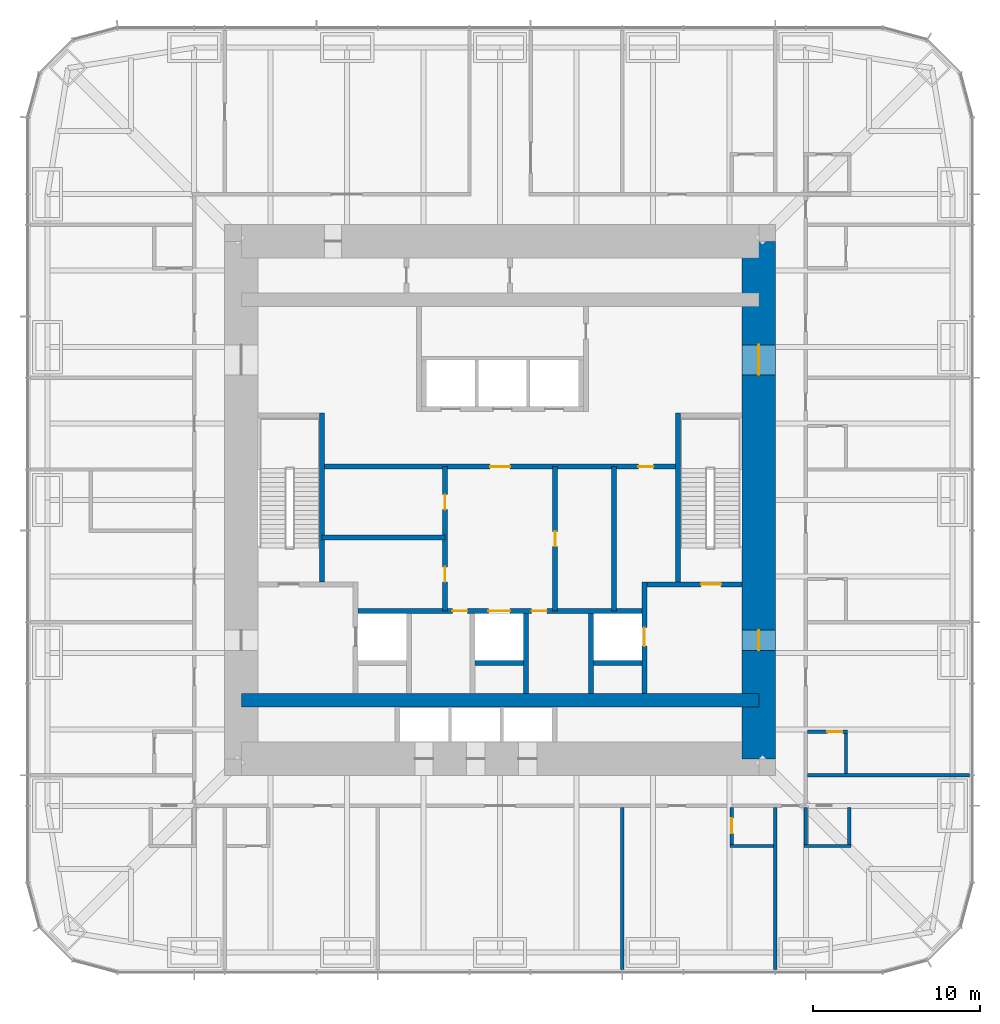
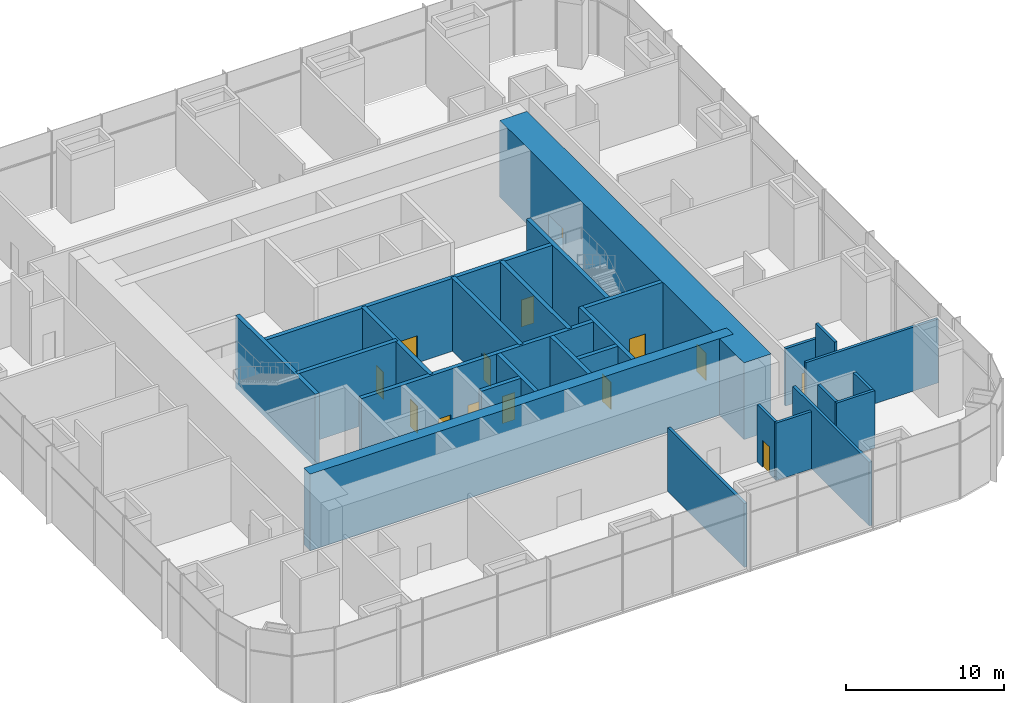
# One storey, part 9 of 12: 26 walls, 14 doors, 14 openings.
"""IFC4 building model written with IfcOpenShell, lengths in metres."""

from ifc_helpers import new_model, si_unit, direction, frame, frame_2d, origin, place, context, subcontext, project, spatial, rectangle, extrude, material, layer, layer_set, type_object, element, fill, save


model = new_model("IFC4")

# Units and contexts
model_context = context("Model", 3, precision=1e-05, world=origin(), true_north=direction((0.0, 1.0)))
body_context = subcontext(model_context, "Body", "Model", "MODEL_VIEW")
ifc_project = project(units=[si_unit("LENGTHUNIT", "METRE"), si_unit("AREAUNIT", "SQUARE_METRE"), si_unit("VOLUMEUNIT", "CUBIC_METRE"), si_unit("PLANEANGLEUNIT", "RADIAN"), si_unit("MASSUNIT", "GRAM", prefix="KILO")], contexts=[model_context])

# Site, building, storey
site_placement = place(None, origin())
site = spatial("IfcSite", under=ifc_project, at=site_placement, CompositionType="ELEMENT")
building_placement = place(site_placement, origin())
building = spatial("IfcBuilding", under=site, at=building_placement, Name="Khuree Lantern Residences", CompositionType="ELEMENT")
storey_placement = place(building_placement, frame((0.0, 0.0, 186.0)))
storey = spatial("IfcBuildingStorey", under=building, at=storey_placement, Name="L47", CompositionType="ELEMENT", Elevation=186.0)

# Wall, opening, door
ifc_material_1 = material(Name="Dense concrete blockwork", Category="masonry")
ifc_layer_1 = layer(ifc_material_1, 0.300048828125)
ifc_layer_set_1 = layer_set([ifc_layer_1], Name="CORE PARTITION WALL CPW300 EI 120")
wall_type_1 = type_object("IfcWallType", Name="CORE PARTITION WALL CPW300 EI 120", PredefinedType="PARTITIONING", material=ifc_layer_set_1)
wall_1_placement = place(storey_placement, frame((8.64990234375, -11.60009765625, 0.0), z_axis=(0.0, 0.0, 1.0), x_axis=(0.0, 1.0, 0.0)))
wall_1 = element("IfcWall", 1, at=wall_1_placement, inside=storey, type_object=wall_type_1, Name="L47 CORE WALL FL2E", PredefinedType="PARTITIONING", context=body_context, shape_type="SweptSolid", body=[
    extrude(rectangle(XDim=6.7001953125, YDim=0.300048828125, at=frame_2d((3.35009765625, 0.0))), origin(), (0.0, 0.0, 1.0), 5.64990234375),
])
opening_1_placement = place(wall_1_placement, frame((2.85009765625, 0.0, 0.0)))
opening_1 = element("IfcOpeningElement", 2, at=opening_1_placement, cuts=wall_1, Name="Opening 47-008", PredefinedType="OPENING", context=body_context, shape_type="SweptSolid", body=[
    extrude(rectangle(XDim=1.10009765625, YDim=2.10009765625, at=frame_2d((0.550048828125, 1.050048828125))), frame((0.0, 0.16015625, 0.0), z_axis=(0.0, -1.0, 0.0), x_axis=(1.0, 0.0, 0.0)), (0.0, 0.0, 1.0), 0.320068359375),
])
ifc_material_2 = material(Name="Stainless steel lift landing door", Category="steel")
door_type_1 = type_object("IfcDoorType", Name="LIFT LANDING DOOR 1100X2100 E 120", OperationType="DOUBLE_DOOR_SLIDING", PredefinedType="DOOR", material=ifc_material_2)
door_1_placement = place(opening_1_placement, origin())
door_1 = element("IfcDoor", 3, at=door_1_placement, inside=storey, type_object=door_type_1, Name="Landing door FL2 47-008", OperationType="DOUBLE_DOOR_SLIDING", OverallHeight=2.10009765625, OverallWidth=1.10009765625, PredefinedType="DOOR", context=body_context, shape_type="SweptSolid", body=[
    extrude(rectangle(XDim=1.10009765625, YDim=2.10009765625, at=frame_2d((0.550048828125, 1.050048828125))), frame((0.0, 0.02490234375, 0.0), z_axis=(0.0, -1.0, 0.0), x_axis=(1.0, 0.0, 0.0)), (0.0, 0.0, 1.0), 0.050048828125),
])
fill(opening_1, door_1)

# Wall, openings, doors
wall_2_placement = place(storey_placement, frame((-8.5, -6.64990234375, 0.0), z_axis=(0.0, 0.0, 1.0), x_axis=(1.0, 0.0, 0.0)))
wall_2 = element("IfcWall", 4, at=wall_2_placement, inside=storey, type_object=wall_type_1, Name="L47 CORE WALL FLROW", PredefinedType="PARTITIONING", context=body_context, shape_type="SweptSolid", body=[
    extrude(rectangle(XDim=17.0, YDim=0.300048828125, at=frame_2d((8.5, 0.0))), origin(), (0.0, 0.0, 1.0), 5.64990234375),
])
opening_2_placement = place(wall_2_placement, frame((7.800048828125, 0.0, 0.0)))
opening_2 = element("IfcOpeningElement", 5, at=opening_2_placement, cuts=wall_2, Name="Opening 47-015", PredefinedType="OPENING", context=body_context, shape_type="SweptSolid", body=[
    extrude(rectangle(XDim=1.300048828125, YDim=2.39990234375, at=frame_2d((0.64990234375, 1.199951171875))), frame((0.0, 0.16015625, 0.0), z_axis=(0.0, -1.0, 0.0), x_axis=(1.0, 0.0, 0.0)), (0.0, 0.0, 1.0), 0.320068359375),
])
opening_3_placement = place(wall_2_placement, frame((5.64990234375, 0.0, 0.0)))
opening_3 = element("IfcOpeningElement", 6, at=opening_3_placement, cuts=wall_2, Name="Opening 47-017", PredefinedType="OPENING", context=body_context, shape_type="SweptSolid", body=[
    extrude(rectangle(XDim=0.89990234375, YDim=2.10009765625, at=frame_2d((0.449951171875, 1.050048828125))), frame((0.0, 0.16015625, 0.0), z_axis=(0.0, -1.0, 0.0), x_axis=(1.0, 0.0, 0.0)), (0.0, 0.0, 1.0), 0.320068359375),
])
opening_4_placement = place(wall_2_placement, frame((10.39990234375, 0.0, 0.0)))
opening_4 = element("IfcOpeningElement", 7, at=opening_4_placement, cuts=wall_2, Name="Opening 47-018", PredefinedType="OPENING", context=body_context, shape_type="SweptSolid", body=[
    extrude(rectangle(XDim=0.89990234375, YDim=2.10009765625, at=frame_2d((0.449951171875, 1.050048828125))), frame((0.0, 0.16015625, 0.0), z_axis=(0.0, -1.0, 0.0), x_axis=(1.0, 0.0, 0.0)), (0.0, 0.0, 1.0), 0.320068359375),
])
ifc_material_3 = material(Name="Steel door leaf in steel frame", Category="steel")
door_type_2 = type_object("IfcDoorType", Name="DOOR 900X2100 EI 60", OperationType="SINGLE_SWING_LEFT", PredefinedType="DOOR", material=ifc_material_3)
door_2_placement = place(opening_3_placement, origin())
door_2 = element("IfcDoor", 8, at=door_2_placement, inside=storey, type_object=door_type_2, Name="Electrical riser door 47-017", OperationType="SINGLE_SWING_LEFT", OverallHeight=2.10009765625, OverallWidth=0.89990234375, PredefinedType="DOOR", context=body_context, shape_type="SweptSolid", body=[
    extrude(rectangle(XDim=0.89990234375, YDim=2.10009765625, at=frame_2d((0.449951171875, 1.050048828125))), frame((0.0, 0.02490234375, 0.0), z_axis=(0.0, -1.0, 0.0), x_axis=(1.0, 0.0, 0.0)), (0.0, 0.0, 1.0), 0.050048828125),
])
fill(opening_3, door_2)
door_type_3 = type_object("IfcDoorType", Name="DOOR 900X2100 EI 60 RIGHT HAND", OperationType="SINGLE_SWING_RIGHT", PredefinedType="DOOR", material=ifc_material_3)
door_3_placement = place(opening_4_placement, origin())
door_3 = element("IfcDoor", 9, at=door_3_placement, inside=storey, type_object=door_type_3, Name="Plumbing riser door 47-018", OperationType="SINGLE_SWING_RIGHT", OverallHeight=2.10009765625, OverallWidth=0.89990234375, PredefinedType="DOOR", context=body_context, shape_type="SweptSolid", body=[
    extrude(rectangle(XDim=0.89990234375, YDim=2.10009765625, at=frame_2d((0.449951171875, 1.050048828125))), frame((0.0, 0.02490234375, 0.0), z_axis=(0.0, -1.0, 0.0), x_axis=(1.0, 0.0, 0.0)), (0.0, 0.0, 1.0), 0.050048828125),
])
fill(opening_4, door_3)
door_type_4 = type_object("IfcDoorType", Name="LIFT LANDING DOOR 1300X2400 E 60", OperationType="DOUBLE_DOOR_SLIDING", PredefinedType="DOOR", material=ifc_material_2)
door_4_placement = place(opening_2_placement, origin())
door_4 = element("IfcDoor", 10, at=door_4_placement, inside=storey, type_object=door_type_4, Name="Landing door SL1 47-015", OperationType="DOUBLE_DOOR_SLIDING", OverallHeight=2.39990234375, OverallWidth=1.300048828125, PredefinedType="DOOR", context=body_context, shape_type="SweptSolid", body=[
    extrude(rectangle(XDim=1.300048828125, YDim=2.39990234375, at=frame_2d((0.64990234375, 1.199951171875))), frame((0.0, 0.02490234375, 0.0), z_axis=(0.0, -1.0, 0.0), x_axis=(1.0, 0.0, 0.0)), (0.0, 0.0, 1.0), 0.050048828125),
])
fill(opening_2, door_4)

# Walls
for number, where, z_axis, x_axis, name in (
    (11, (1.550048828125, -11.60009765625, 0.0), (0.0, 0.0, 1.0), (0.0, 1.0, 0.0), "L47 CORE WALL SL1E"),
    (12, (5.449951171875, -11.60009765625, 0.0), (0.0, 0.0, 1.0), (0.0, 1.0, 0.0), "L47 CORE WALL FL2W"),
):
    element("IfcWall", number, at=place(storey_placement, frame(where, z_axis=z_axis, x_axis=x_axis)), inside=storey, type_object=wall_type_1, Name=name, PredefinedType="PARTITIONING", context=body_context, shape_type="SweptSolid", body=[
        extrude(rectangle(XDim=4.800048828125, YDim=0.300048828125, at=frame_2d((2.39990234375, 0.0))), origin(), (0.0, 0.0, 1.0), 5.64990234375),
    ])
for number, where, z_axis, x_axis, name in (
    (13, (-1.5, -9.75, 0.0), (0.0, 0.0, 1.0), (1.0, 0.0, 0.0), "L47 CORE WALL SL1S"),
    (14, (5.60009765625, -9.75, 0.0), (0.0, 0.0, 1.0), (1.0, 0.0, 0.0), "L47 CORE WALL FL2S"),
):
    element("IfcWall", number, at=place(storey_placement, frame(where, z_axis=z_axis, x_axis=x_axis)), inside=storey, type_object=wall_type_1, Name=name, PredefinedType="PARTITIONING", context=body_context, shape_type="SweptSolid", body=[
        extrude(rectangle(XDim=2.89990234375, YDim=0.300048828125, at=frame_2d((1.449951171875, 0.0))), origin(), (0.0, 0.0, 1.0), 5.64990234375),
    ])

# Wall, openings, doors
wall_3_placement = place(storey_placement, frame((-10.64990234375, 2.0, 0.0), z_axis=(0.0, 0.0, 1.0), x_axis=(1.0, 0.0, 0.0)))
wall_3 = element("IfcWall", 15, at=wall_3_placement, inside=storey, type_object=wall_type_1, Name="L47 CORE WALL LLS", PredefinedType="PARTITIONING", context=body_context, shape_type="SweptSolid", body=[
    extrude(rectangle(XDim=21.2998046875, YDim=0.300048828125, at=frame_2d((10.64990234375, 0.0))), origin(), (0.0, 0.0, 1.0), 5.64990234375),
])
opening_5_placement = place(wall_3_placement, frame((10.050048828125, 0.0, 0.0)))
opening_5 = element("IfcOpeningElement", 16, at=opening_5_placement, cuts=wall_3, Name="Opening 47-016", PredefinedType="OPENING", context=body_context, shape_type="SweptSolid", body=[
    extrude(rectangle(XDim=1.199951171875, YDim=2.10009765625, at=frame_2d((0.60009765625, 1.050048828125))), frame((0.0, 0.16015625, 0.0), z_axis=(0.0, -1.0, 0.0), x_axis=(1.0, 0.0, 0.0)), (0.0, 0.0, 1.0), 0.320068359375),
])
opening_6_placement = place(wall_3_placement, frame((18.94189453125, 0.0, 0.0)))
opening_6 = element("IfcOpeningElement", 17, at=opening_6_placement, cuts=wall_3, Name="Opening 47-022", PredefinedType="OPENING", context=body_context, shape_type="SweptSolid", body=[
    extrude(rectangle(XDim=0.89990234375, YDim=2.10009765625, at=frame_2d((0.449951171875, 1.050048828125))), frame((0.0, 0.16015625, 0.0), z_axis=(0.0, -1.0, 0.0), x_axis=(1.0, 0.0, 0.0)), (0.0, 0.0, 1.0), 0.320068359375),
])
door_type_5 = type_object("IfcDoorType", Name="DOOR 1200X2100 EI 60", OperationType="SINGLE_SWING_LEFT", PredefinedType="DOOR", material=ifc_material_3)
door_5_placement = place(opening_5_placement, origin())
door_5 = element("IfcDoor", 18, at=door_5_placement, inside=storey, type_object=door_type_5, Name="Service lift lobby door 47-016", OperationType="SINGLE_SWING_LEFT", OverallHeight=2.10009765625, OverallWidth=1.199951171875, PredefinedType="DOOR", context=body_context, shape_type="SweptSolid", body=[
    extrude(rectangle(XDim=1.199951171875, YDim=2.10009765625, at=frame_2d((0.60009765625, 1.050048828125))), frame((0.0, 0.02490234375, 0.0), z_axis=(0.0, -1.0, 0.0), x_axis=(1.0, 0.0, 0.0)), (0.0, 0.0, 1.0), 0.050048828125),
])
fill(opening_5, door_5)
ifc_material_4 = material(Name="Timber door leaf in hardwood frame", Category="wood")
door_type_6 = type_object("IfcDoorType", Name="DOOR 900X2100 RIGHT HAND", OperationType="SINGLE_SWING_RIGHT", PredefinedType="DOOR", material=ifc_material_4)
door_6_placement = place(opening_6_placement, origin())
door_6 = element("IfcDoor", 19, at=door_6_placement, inside=storey, type_object=door_type_6, Name="Linen and laundry store door 47-022", OperationType="SINGLE_SWING_RIGHT", OverallHeight=2.10009765625, OverallWidth=0.89990234375, PredefinedType="DOOR", context=body_context, shape_type="SweptSolid", body=[
    extrude(rectangle(XDim=0.89990234375, YDim=2.10009765625, at=frame_2d((0.449951171875, 1.050048828125))), frame((0.0, 0.02490234375, 0.0), z_axis=(0.0, -1.0, 0.0), x_axis=(1.0, 0.0, 0.0)), (0.0, 0.0, 1.0), 0.050048828125),
])
fill(opening_6, door_6)

wall_4_placement = place(storey_placement, frame((-3.300048828125, -6.64990234375, 0.0), z_axis=(0.0, 0.0, 1.0), x_axis=(0.0, 1.0, 0.0)))
wall_4 = element("IfcWall", 20, at=wall_4_placement, inside=storey, type_object=wall_type_1, Name="L47 CORE WALL SVW", PredefinedType="PARTITIONING", context=body_context, shape_type="SweptSolid", body=[
    extrude(rectangle(XDim=8.64990234375, YDim=0.300048828125, at=frame_2d((4.324951171875, 0.0))), origin(), (0.0, 0.0, 1.0), 5.64990234375),
])
opening_7_placement = place(wall_4_placement, frame((1.75, 0.0, 0.0)))
opening_7 = element("IfcOpeningElement", 21, at=opening_7_placement, cuts=wall_4, Name="Opening 47-019", PredefinedType="OPENING", context=body_context, shape_type="SweptSolid", body=[
    extrude(rectangle(XDim=0.89990234375, YDim=2.10009765625, at=frame_2d((0.449951171875, 1.050048828125))), frame((0.0, 0.16015625, 0.0), z_axis=(0.0, -1.0, 0.0), x_axis=(1.0, 0.0, 0.0)), (0.0, 0.0, 1.0), 0.320068359375),
])
opening_8_placement = place(wall_4_placement, frame((6.074951171875, 0.0, 0.0)))
opening_8 = element("IfcOpeningElement", 22, at=opening_8_placement, cuts=wall_4, Name="Opening 47-020", PredefinedType="OPENING", context=body_context, shape_type="SweptSolid", body=[
    extrude(rectangle(XDim=0.89990234375, YDim=2.10009765625, at=frame_2d((0.449951171875, 1.050048828125))), frame((0.0, 0.16015625, 0.0), z_axis=(0.0, -1.0, 0.0), x_axis=(1.0, 0.0, 0.0)), (0.0, 0.0, 1.0), 0.320068359375),
])
door_type_7 = type_object("IfcDoorType", Name="DOOR 900X2100", OperationType="SINGLE_SWING_LEFT", PredefinedType="DOOR", material=ifc_material_4)
door_7_placement = place(opening_7_placement, origin())
door_7 = element("IfcDoor", 23, at=door_7_placement, inside=storey, type_object=door_type_7, Name="Linen and laundry store door 47-019", OperationType="SINGLE_SWING_LEFT", OverallHeight=2.10009765625, OverallWidth=0.89990234375, PredefinedType="DOOR", context=body_context, shape_type="SweptSolid", body=[
    extrude(rectangle(XDim=0.89990234375, YDim=2.10009765625, at=frame_2d((0.449951171875, 1.050048828125))), frame((0.0, 0.02490234375, 0.0), z_axis=(0.0, -1.0, 0.0), x_axis=(1.0, 0.0, 0.0)), (0.0, 0.0, 1.0), 0.050048828125),
])
fill(opening_7, door_7)
door_8_placement = place(opening_8_placement, origin())
door_8 = element("IfcDoor", 24, at=door_8_placement, inside=storey, type_object=door_type_7, Name="Linen and laundry store door 47-020", OperationType="SINGLE_SWING_LEFT", OverallHeight=2.10009765625, OverallWidth=0.89990234375, PredefinedType="DOOR", context=body_context, shape_type="SweptSolid", body=[
    extrude(rectangle(XDim=0.89990234375, YDim=2.10009765625, at=frame_2d((0.449951171875, 1.050048828125))), frame((0.0, 0.02490234375, 0.0), z_axis=(0.0, -1.0, 0.0), x_axis=(1.0, 0.0, 0.0)), (0.0, 0.0, 1.0), 0.050048828125),
])
fill(opening_8, door_8)

# Wall, opening, door
wall_5_placement = place(storey_placement, frame((3.300048828125, -6.64990234375, 0.0), z_axis=(0.0, 0.0, 1.0), x_axis=(0.0, 1.0, 0.0)))
wall_5 = element("IfcWall", 25, at=wall_5_placement, inside=storey, type_object=wall_type_1, Name="L47 CORE WALL SVE", PredefinedType="PARTITIONING", context=body_context, shape_type="SweptSolid", body=[
    extrude(rectangle(XDim=8.64990234375, YDim=0.300048828125, at=frame_2d((4.324951171875, 0.0))), origin(), (0.0, 0.0, 1.0), 5.64990234375),
])
opening_9_placement = place(wall_5_placement, frame((3.875, 0.0, 0.0)))
opening_9 = element("IfcOpeningElement", 26, at=opening_9_placement, cuts=wall_5, Name="Opening 47-021", PredefinedType="OPENING", context=body_context, shape_type="SweptSolid", body=[
    extrude(rectangle(XDim=0.89990234375, YDim=2.10009765625, at=frame_2d((0.449951171875, 1.050048828125))), frame((0.0, 0.16015625, 0.0), z_axis=(0.0, -1.0, 0.0), x_axis=(1.0, 0.0, 0.0)), (0.0, 0.0, 1.0), 0.320068359375),
])
door_9_placement = place(opening_9_placement, origin())
door_9 = element("IfcDoor", 27, at=door_9_placement, inside=storey, type_object=door_type_7, Name="Linen and laundry store door 47-021", OperationType="SINGLE_SWING_LEFT", OverallHeight=2.10009765625, OverallWidth=0.89990234375, PredefinedType="DOOR", context=body_context, shape_type="SweptSolid", body=[
    extrude(rectangle(XDim=0.89990234375, YDim=2.10009765625, at=frame_2d((0.449951171875, 1.050048828125))), frame((0.0, 0.02490234375, 0.0), z_axis=(0.0, -1.0, 0.0), x_axis=(1.0, 0.0, 0.0)), (0.0, 0.0, 1.0), 0.050048828125),
])
fill(opening_9, door_9)

# Walls
wall_6_placement = place(storey_placement, frame((-10.64990234375, -2.25, 0.0), z_axis=(0.0, 0.0, 1.0), x_axis=(1.0, 0.0, 0.0)))
element("IfcWall", 28, at=wall_6_placement, inside=storey, type_object=wall_type_1, Name="L47 CORE WALL WX", PredefinedType="PARTITIONING", context=body_context, shape_type="SweptSolid", body=[
    extrude(rectangle(XDim=7.349853515625, YDim=0.300048828125, at=frame_2d((3.6748046875, 0.0))), origin(), (0.0, 0.0, 1.0), 5.64990234375),
])
wall_7_placement = place(storey_placement, frame((6.833984375, -6.64990234375, 0.0), z_axis=(0.0, 0.0, 1.0), x_axis=(0.0, 1.0, 0.0)))
element("IfcWall", 29, at=wall_7_placement, inside=storey, type_object=wall_type_1, Name="L47 CORE WALL EV", PredefinedType="PARTITIONING", context=body_context, shape_type="SweptSolid", body=[
    extrude(rectangle(XDim=8.64990234375, YDim=0.300048828125, at=frame_2d((4.324951171875, 0.0))), origin(), (0.0, 0.0, 1.0), 5.64990234375),
])

# Wall, openings, doors
ifc_material_5 = material(Name="Concrete C70/85", Category="concrete")
ifc_layer_2 = layer(ifc_material_5, 2.0)
ifc_layer_set_2 = layer_set([ifc_layer_2], Name="CW2000-C70 CORE WALL C70 2000")
wall_type_2 = type_object("IfcWallType", Name="CW2000-C70 CORE WALL C70 2000", PredefinedType="SHEAR", material=ifc_layer_set_2)
wall_8_placement = place(storey_placement, frame((15.5, -15.5, -0.300048828125), z_axis=(0.0, 0.0, 1.0), x_axis=(0.0, 1.0, 0.0)))
wall_8 = element("IfcWall", 30, at=wall_8_placement, inside=storey, type_object=wall_type_2, Name="Core wall E", PredefinedType="SHEAR", context=body_context, shape_type="SweptSolid", body=[
    extrude(rectangle(XDim=31.0, YDim=2.0, at=frame_2d((15.5, 0.0))), origin(), (0.0, 0.0, 1.0), 5.949951171875),
])
opening_10_placement = place(wall_8_placement, frame((6.5, 0.0, 0.300048828125)))
opening_10 = element("IfcOpeningElement", 31, at=opening_10_placement, cuts=wall_8, Name="Opening 47-005", PredefinedType="OPENING", context=body_context, shape_type="SweptSolid", body=[
    extrude(rectangle(XDim=1.199951171875, YDim=2.10009765625, at=frame_2d((0.60009765625, 1.050048828125))), frame((0.0, 1.010009765625, 0.0), z_axis=(0.0, -1.0, 0.0), x_axis=(1.0, 0.0, 0.0)), (0.0, 0.0, 1.0), 2.02001953125),
])
opening_11_placement = place(wall_8_placement, frame((23.0, 0.0, 0.300048828125)))
opening_11 = element("IfcOpeningElement", 32, at=opening_11_placement, cuts=wall_8, Name="Opening 47-006", PredefinedType="OPENING", context=body_context, shape_type="SweptSolid", body=[
    extrude(rectangle(XDim=1.800048828125, YDim=2.10009765625, at=frame_2d((0.89990234375, 1.050048828125))), frame((0.0, 1.010009765625, 0.0), z_axis=(0.0, -1.0, 0.0), x_axis=(1.0, 0.0, 0.0)), (0.0, 0.0, 1.0), 2.02001953125),
])
door_type_8 = type_object("IfcDoorType", Name="LOBBY DOOR 1200X2100 EI 120", OperationType="SINGLE_SWING_LEFT", PredefinedType="DOOR", material=ifc_material_3)
door_10_placement = place(opening_10_placement, origin())
door_10 = element("IfcDoor", 33, at=door_10_placement, inside=storey, type_object=door_type_8, Name="Firefighting lobby door 47-005", OperationType="SINGLE_SWING_LEFT", OverallHeight=2.10009765625, OverallWidth=1.199951171875, PredefinedType="DOOR", context=body_context, shape_type="SweptSolid", body=[
    extrude(rectangle(XDim=1.199951171875, YDim=2.10009765625, at=frame_2d((0.60009765625, 1.050048828125))), frame((0.0, 0.02490234375, 0.0), z_axis=(0.0, -1.0, 0.0), x_axis=(1.0, 0.0, 0.0)), (0.0, 0.0, 1.0), 0.050048828125),
])
fill(opening_10, door_10)
door_type_9 = type_object("IfcDoorType", Name="LOBBY DOUBLE DOOR 1800X2100 EI 60", OperationType="DOUBLE_DOOR_SINGLE_SWING", PredefinedType="DOOR", material=ifc_material_3)
door_11_placement = place(opening_11_placement, origin())
door_11 = element("IfcDoor", 34, at=door_11_placement, inside=storey, type_object=door_type_9, Name="Lift lobby door 47-006", OperationType="DOUBLE_DOOR_SINGLE_SWING", OverallHeight=2.10009765625, OverallWidth=1.800048828125, PredefinedType="DOOR", context=body_context, shape_type="SweptSolid", body=[
    extrude(rectangle(XDim=1.800048828125, YDim=2.10009765625, at=frame_2d((0.89990234375, 1.050048828125))), frame((0.0, 0.02490234375, 0.0), z_axis=(0.0, -1.0, 0.0), x_axis=(1.0, 0.0, 0.0)), (0.0, 0.0, 1.0), 0.050048828125),
])
fill(opening_11, door_11)

# Walls
ifc_layer_3 = layer(ifc_material_1, 0.199951171875)
ifc_layer_set_3 = layer_set([ifc_layer_3], Name="ROOM WALL RMW200")
wall_type_3 = type_object("IfcWallType", Name="ROOM WALL RMW200", PredefinedType="SOLIDWALL", material=ifc_layer_set_3)
for number, where, z_axis, x_axis, name in (
    (35, (7.327880859375, -28.1298828125, 0.0), (0.0, 0.0, 1.0), (0.0, 1.0, 0.0), "L47 ROOM WALL 3"),
    (36, (16.488037109375, -28.1298828125, 0.0), (0.0, 0.0, 1.0), (0.0, 1.0, 0.0), "L47 ROOM WALL 4"),
):
    element("IfcWall", number, at=place(storey_placement, frame(where, z_axis=z_axis, x_axis=x_axis)), inside=storey, type_object=wall_type_3, Name=name, PredefinedType="SOLIDWALL", context=body_context, shape_type="SweptSolid", body=[
        extrude(rectangle(XDim=9.7099609375, YDim=0.199951171875, at=frame_2d((4.85498046875, 0.0))), origin(), (0.0, 0.0, 1.0), 4.949951171875),
    ])
wall_9_placement = place(storey_placement, frame((13.7880859375, -20.719970703125, 0.0), z_axis=(0.0, 0.0, 1.0), x_axis=(1.0, 0.0, 0.0)))
element("IfcWall", 37, at=wall_9_placement, inside=storey, type_object=wall_type_3, Name="L47 ROOM WALL 7", PredefinedType="SOLIDWALL", context=body_context, shape_type="SweptSolid", body=[
    extrude(rectangle(XDim=2.599853515625, YDim=0.199951171875, at=frame_2d((1.2998046875, 0.0))), origin(), (0.0, 0.0, 1.0), 4.449951171875),
])
wall_10_placement = place(storey_placement, frame((18.219970703125, -20.719970703125, 0.0), z_axis=(0.0, 0.0, 1.0), x_axis=(1.0, 0.0, 0.0)))
element("IfcWall", 38, at=wall_10_placement, inside=storey, type_object=wall_type_3, Name="L47 ROOM WALL 8", PredefinedType="SOLIDWALL", context=body_context, shape_type="SweptSolid", body=[
    extrude(rectangle(XDim=2.800048828125, YDim=0.199951171875, at=frame_2d((1.39990234375, 0.0))), origin(), (0.0, 0.0, 1.0), 4.449951171875),
])

# Wall, opening, door
wall_11_placement = place(storey_placement, frame((13.887939453125, -20.6201171875, 0.0), z_axis=(0.0, 0.0, 1.0), x_axis=(0.0, 1.0, 0.0)))
wall_11 = element("IfcWall", 39, at=wall_11_placement, inside=storey, type_object=wall_type_3, Name="L47 ROOM WALL 12", PredefinedType="SOLIDWALL", context=body_context, shape_type="SweptSolid", body=[
    extrude(rectangle(XDim=2.2001953125, YDim=0.199951171875, at=frame_2d((1.10009765625, 0.0))), origin(), (0.0, 0.0, 1.0), 4.449951171875),
])
opening_12_placement = place(wall_11_placement, frame((0.659912109375, 0.0, 0.0)))
opening_12 = element("IfcOpeningElement", 40, at=opening_12_placement, cuts=wall_11, Name="Opening 47-050", PredefinedType="OPENING", context=body_context, shape_type="SweptSolid", body=[
    extrude(rectangle(XDim=0.89990234375, YDim=2.10009765625, at=frame_2d((0.449951171875, 1.050048828125))), frame((0.0, 0.10986328125, 0.0), z_axis=(0.0, -1.0, 0.0), x_axis=(1.0, 0.0, 0.0)), (0.0, 0.0, 1.0), 0.219970703125),
])
door_type_10 = type_object("IfcDoorType", Name="WC DOOR 900X2100 RIGHT HAND", OperationType="SINGLE_SWING_RIGHT", PredefinedType="DOOR", material=ifc_material_4)
door_12_placement = place(opening_12_placement, origin())
door_12 = element("IfcDoor", 41, at=door_12_placement, inside=storey, type_object=door_type_10, Name="En-suite bathroom door 47-050", OperationType="SINGLE_SWING_RIGHT", OverallHeight=2.10009765625, OverallWidth=0.89990234375, PredefinedType="DOOR", context=body_context, shape_type="SweptSolid", body=[
    extrude(rectangle(XDim=0.89990234375, YDim=2.10009765625, at=frame_2d((0.449951171875, 1.050048828125))), frame((0.0, 0.02490234375, 0.0), z_axis=(0.0, -1.0, 0.0), x_axis=(1.0, 0.0, 0.0)), (0.0, 0.0, 1.0), 0.050048828125),
])
fill(opening_12, door_12)

# Walls
for number, where, z_axis, x_axis, name in (
    (42, (18.320068359375, -20.6201171875, 0.0), (0.0, 0.0, 1.0), (0.0, 1.0, 0.0), "L47 ROOM WALL 13"),
    (43, (20.919921875, -20.6201171875, 0.0), (0.0, 0.0, 1.0), (0.0, 1.0, 0.0), "L47 ROOM WALL 14"),
):
    element("IfcWall", number, at=place(storey_placement, frame(where, z_axis=z_axis, x_axis=x_axis)), inside=storey, type_object=wall_type_3, Name=name, PredefinedType="SOLIDWALL", context=body_context, shape_type="SweptSolid", body=[
        extrude(rectangle(XDim=2.2001953125, YDim=0.199951171875, at=frame_2d((1.10009765625, 0.0))), origin(), (0.0, 0.0, 1.0), 4.449951171875),
    ])
wall_12_placement = place(storey_placement, frame((18.419921875, -16.488037109375, 0.0), z_axis=(0.0, 0.0, 1.0), x_axis=(1.0, 0.0, 0.0)))
element("IfcWall", 44, at=wall_12_placement, inside=storey, type_object=wall_type_3, Name="L47 ROOM WALL 19", PredefinedType="SOLIDWALL", context=body_context, shape_type="SweptSolid", body=[
    extrude(rectangle(XDim=9.7099609375, YDim=0.199951171875, at=frame_2d((4.85498046875, 0.0))), origin(), (0.0, 0.0, 1.0), 4.949951171875),
])
wall_13_placement = place(storey_placement, frame((20.719970703125, -16.387939453125, 0.0), z_axis=(0.0, 0.0, 1.0), x_axis=(0.0, 1.0, 0.0)))
element("IfcWall", 45, at=wall_13_placement, inside=storey, type_object=wall_type_3, Name="L47 ROOM WALL 21", PredefinedType="SOLIDWALL", context=body_context, shape_type="SweptSolid", body=[
    extrude(rectangle(XDim=2.39990234375, YDim=0.199951171875, at=frame_2d((1.199951171875, 0.0))), origin(), (0.0, 0.0, 1.0), 5.64990234375),
])

# Wall, opening, door
wall_14_placement = place(storey_placement, frame((18.419921875, -13.887939453125, 0.0), z_axis=(0.0, 0.0, 1.0), x_axis=(1.0, 0.0, 0.0)))
wall_14 = element("IfcWall", 46, at=wall_14_placement, inside=storey, type_object=wall_type_3, Name="L47 ROOM WALL 23", PredefinedType="SOLIDWALL", context=body_context, shape_type="SweptSolid", body=[
    extrude(rectangle(XDim=2.400146484375, YDim=0.199951171875, at=frame_2d((1.2001953125, 0.0))), origin(), (0.0, 0.0, 1.0), 4.449951171875),
])
opening_13_placement = place(wall_14_placement, frame((1.194091796875, 0.0, 0.0)))
opening_13 = element("IfcOpeningElement", 47, at=opening_13_placement, cuts=wall_14, Name="Opening 47-051", PredefinedType="OPENING", context=body_context, shape_type="SweptSolid", body=[
    extrude(rectangle(XDim=0.89990234375, YDim=2.10009765625, at=frame_2d((0.449951171875, 1.050048828125))), frame((0.0, 0.10986328125, 0.0), z_axis=(0.0, -1.0, 0.0), x_axis=(1.0, 0.0, 0.0)), (0.0, 0.0, 1.0), 0.219970703125),
])
door_type_11 = type_object("IfcDoorType", Name="WC DOOR 900X2100", OperationType="SINGLE_SWING_LEFT", PredefinedType="DOOR", material=ifc_material_4)
door_13_placement = place(opening_13_placement, origin())
door_13 = element("IfcDoor", 48, at=door_13_placement, inside=storey, type_object=door_type_11, Name="En-suite bathroom door 47-051", OperationType="SINGLE_SWING_LEFT", OverallHeight=2.10009765625, OverallWidth=0.89990234375, PredefinedType="DOOR", context=body_context, shape_type="SweptSolid", body=[
    extrude(rectangle(XDim=0.89990234375, YDim=2.10009765625, at=frame_2d((0.449951171875, 1.050048828125))), frame((0.0, 0.02490234375, 0.0), z_axis=(0.0, -1.0, 0.0), x_axis=(1.0, 0.0, 0.0)), (0.0, 0.0, 1.0), 0.050048828125),
])
fill(opening_13, door_13)

# Walls
ifc_layer_4 = layer(ifc_material_5, 0.800048828125)
ifc_layer_set_4 = layer_set([ifc_layer_4], Name="SP800-C70 CORE SPINE WALL C70 800")
wall_type_4 = type_object("IfcWallType", Name="SP800-C70 CORE SPINE WALL C70 800", PredefinedType="SHEAR", material=ifc_layer_set_4)
wall_15_placement = place(storey_placement, frame((-15.5, -12.0, -0.300048828125), z_axis=(0.0, 0.0, 1.0), x_axis=(1.0, 0.0, 0.0)))
element("IfcWall", 49, at=wall_15_placement, inside=storey, type_object=wall_type_4, Name="Core wall SPS", PredefinedType="SHEAR", context=body_context, shape_type="SweptSolid", body=[
    extrude(rectangle(XDim=31.0, YDim=0.800048828125, at=frame_2d((15.5, 0.0))), origin(), (0.0, 0.0, 1.0), 5.949951171875),
])
ifc_material_6 = material(Name="Concrete C50/60", Category="concrete")
ifc_layer_5 = layer(ifc_material_6, 0.300048828125)
ifc_layer_set_5 = layer_set([ifc_layer_5], Name="STAIR WALL SRW300 C50/60 REI 240")
wall_type_5 = type_object("IfcWallType", Name="STAIR WALL SRW300 C50/60 REI 240", PredefinedType="SOLIDWALL", material=ifc_layer_set_5)
for number, where, z_axis, x_axis, name in (
    (50, (-10.64990234375, -4.89990234375, 0.0), (0.0, 0.0, 1.0), (0.0, 1.0, 0.0), "L47 STAIR WALL ST1E"),
    (51, (10.64990234375, -4.89990234375, 0.0), (0.0, 0.0, 1.0), (0.0, 1.0, 0.0), "L47 STAIR WALL ST2E"),
):
    element("IfcWall", number, at=place(storey_placement, frame(where, z_axis=z_axis, x_axis=x_axis)), inside=storey, type_object=wall_type_5, Name=name, PredefinedType="SOLIDWALL", context=body_context, shape_type="SweptSolid", body=[
        extrude(rectangle(XDim=10.099853515625, YDim=0.300048828125, at=frame_2d((5.0498046875, 0.0))), origin(), (0.0, 0.0, 1.0), 5.64990234375),
    ])

# Wall, opening, door
wall_16_placement = place(storey_placement, frame((14.5, -5.050048828125, 0.0), z_axis=(0.0, 0.0, 1.0), x_axis=(-1.0, 0.0, 0.0)))
wall_16 = element("IfcWall", 52, at=wall_16_placement, inside=storey, type_object=wall_type_5, Name="L47 STAIR WALL ST2S", PredefinedType="SOLIDWALL", context=body_context, shape_type="SweptSolid", body=[
    extrude(rectangle(XDim=5.699951171875, YDim=0.300048828125, at=frame_2d((2.85009765625, 0.0))), origin(), (0.0, 0.0, 1.0), 5.64990234375),
])
opening_14_placement = place(wall_16_placement, frame((1.25, 0.0, 0.0)))
opening_14 = element("IfcOpeningElement", 53, at=opening_14_placement, cuts=wall_16, Name="Opening 47-004", PredefinedType="OPENING", context=body_context, shape_type="SweptSolid", body=[
    extrude(rectangle(XDim=1.199951171875, YDim=2.10009765625, at=frame_2d((0.60009765625, 1.050048828125))), frame((0.0, 0.16015625, 0.0), z_axis=(0.0, -1.0, 0.0), x_axis=(1.0, 0.0, 0.0)), (0.0, 0.0, 1.0), 0.320068359375),
])
door_type_12 = type_object("IfcDoorType", Name="STAIR DOOR 1200X2100 EI 120", OperationType="SINGLE_SWING_LEFT", PredefinedType="DOOR", material=ifc_material_3)
door_14_placement = place(opening_14_placement, origin())
door_14 = element("IfcDoor", 54, at=door_14_placement, inside=storey, type_object=door_type_12, Name="Stair ST2 door 47-004", OperationType="SINGLE_SWING_LEFT", OverallHeight=2.10009765625, OverallWidth=1.199951171875, PredefinedType="DOOR", context=body_context, shape_type="SweptSolid", body=[
    extrude(rectangle(XDim=1.199951171875, YDim=2.10009765625, at=frame_2d((0.60009765625, 1.050048828125))), frame((0.0, 0.02490234375, 0.0), z_axis=(0.0, -1.0, 0.0), x_axis=(1.0, 0.0, 0.0)), (0.0, 0.0, 1.0), 0.050048828125),
])
fill(opening_14, door_14)

save(model, "model.ifc")
